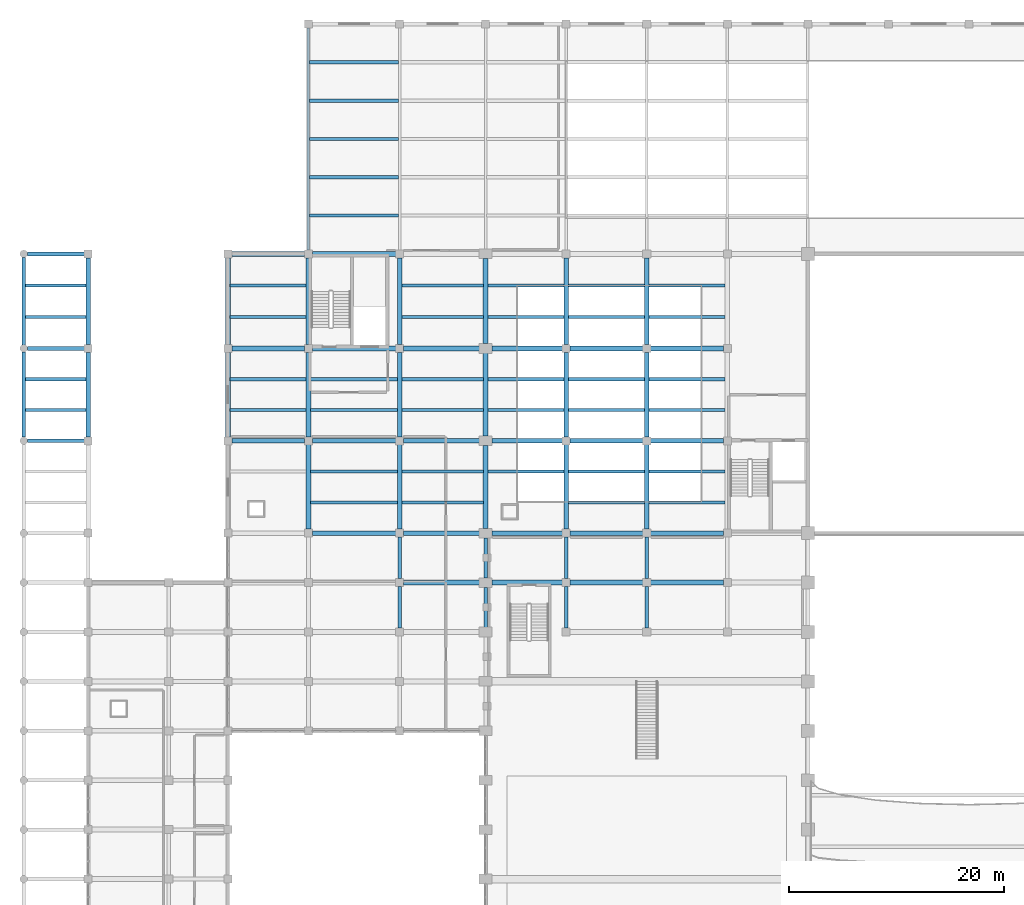
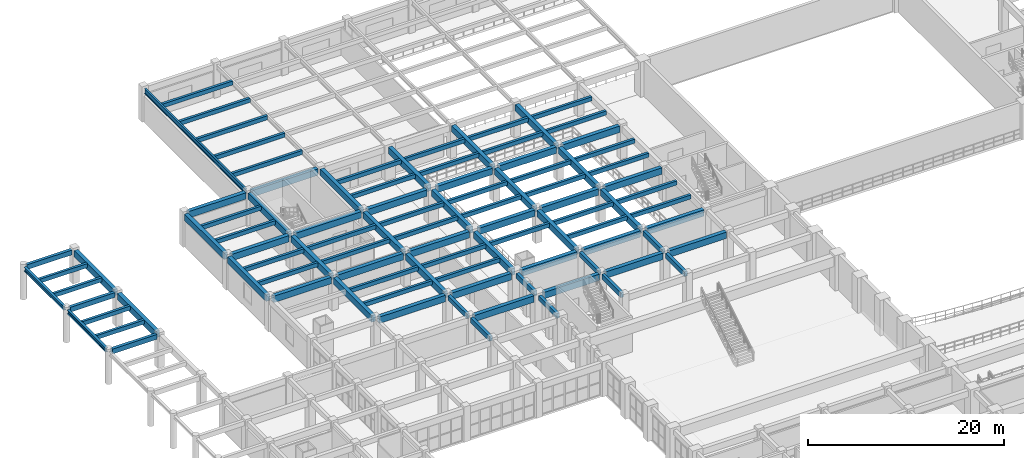
# One storey, part 47 of 116: 96 beams.
"""IFC4 building model written with IfcOpenShell, lengths in metres."""

from ifc_helpers import new_model, si_unit, direction, frame, origin, origin_2d, place, context, subcontext, project, spatial, rectangle, i_section, extrude, material, material_profile, profile_set, type_object, element, save


model = new_model("IFC4")

# Units and contexts
model_context = context("Model", 3, precision=1e-05, world=origin(), true_north=direction((0.0, 1.0)))
body_context = subcontext(model_context, "Body", "Model", "MODEL_VIEW")
ifc_project = project(units=[si_unit("LENGTHUNIT", "METRE"), si_unit("AREAUNIT", "SQUARE_METRE"), si_unit("VOLUMEUNIT", "CUBIC_METRE"), si_unit("PLANEANGLEUNIT", "RADIAN"), si_unit("MASSUNIT", "GRAM", prefix="KILO")], contexts=[model_context])

# Site, building, storey
site_placement = place(None, origin())
site = spatial("IfcSite", under=ifc_project, at=site_placement, CompositionType="ELEMENT")
building_placement = place(site_placement, origin())
building = spatial("IfcBuilding", under=site, at=building_placement, Name="Muzn Square Opera House", CompositionType="ELEMENT")
storey_placement = place(building_placement, frame((0.0, 0.0, 5.39990234375)))
storey = spatial("IfcBuildingStorey", under=building, at=storey_placement, Name="L01", CompositionType="ELEMENT", Elevation=5.39990234375)

# Beams
ifc_material_1 = material(Name="Concrete C40/50", Category="concrete")
ifc_material_profile_1 = material_profile(ifc_material_1, rectangle(XDim=0.300048828125, YDim=0.5, at=origin_2d()), Name="RCJ 300x500", Category="concrete")
ifc_profile_set_1 = profile_set([ifc_material_profile_1], Name="Concrete C40/50")
beam_type_1 = type_object("IfcBeamType", Name="Floor Joist 300x500", PredefinedType="JOIST", material=ifc_profile_set_1)
for number, where, z_axis, x_axis, name in (
    (1, (0.14208984375, 84.066650390625, 3.900146484375), (1.0, 0.0, 0.0), (0.0, 1.0, 0.0), "Floor Joist BM-L01-BM-J500-1_841_58_841-1803"),
    (2, (0.14208984375, 86.933349609375, 3.900146484375), (1.0, 0.0, 0.0), (0.0, 1.0, 0.0), "Floor Joist BM-L01-BM-J500-1_869_58_869-1804"),
    (3, (0.14208984375, 92.7333984375, 3.900146484375), (1.0, 0.0, 0.0), (0.0, 1.0, 0.0), "Floor Joist BM-L01-BM-J500-1_927_58_927-1805"),
    (4, (0.14208984375, 95.666748046875, 3.900146484375), (1.0, 0.0, 0.0), (0.0, 1.0, 0.0), "Floor Joist BM-L01-BM-J500-1_957_58_957-1806"),
):
    element("IfcBeam", number, at=place(storey_placement, frame(where, z_axis=z_axis, x_axis=x_axis)), inside=storey, type_object=beam_type_1, Name=name, PredefinedType="JOIST", context=body_context, shape_type="SweptSolid", body=[
        extrude(rectangle(XDim=0.300048828125, YDim=0.5, at=origin_2d()), origin(), (0.0, 0.0, 1.0), 5.640869140625),
    ])
for number, where, z_axis, x_axis, name in (
    (5, (19.217041015625, 84.066650390625, 3.8701171875), (1.0, 0.0, 0.0), (0.0, 1.0, 0.0), "Floor Joist BM-L01-BM-J500-192_841_263_841-1811"),
    (6, (19.217041015625, 86.933349609375, 3.8701171875), (1.0, 0.0, 0.0), (0.0, 1.0, 0.0), "Floor Joist BM-L01-BM-J500-192_869_263_869-1812"),
    (7, (19.217041015625, 92.7333984375, 3.8701171875), (1.0, 0.0, 0.0), (0.0, 1.0, 0.0), "Floor Joist BM-L01-BM-J500-192_927_263_927-1813"),
    (8, (19.217041015625, 95.666748046875, 3.8701171875), (1.0, 0.0, 0.0), (0.0, 1.0, 0.0), "Floor Joist BM-L01-BM-J500-192_957_263_957-1814"),
):
    element("IfcBeam", number, at=place(storey_placement, frame(where, z_axis=z_axis, x_axis=x_axis)), inside=storey, type_object=beam_type_1, Name=name, PredefinedType="JOIST", context=body_context, shape_type="SweptSolid", body=[
        extrude(rectangle(XDim=0.300048828125, YDim=0.5, at=origin_2d()), origin(), (0.0, 0.0, 1.0), 7.06591796875),
    ])
for number, where, z_axis, x_axis, name in (
    (9, (26.717041015625, 75.466796875, 3.8701171875), (1.0, 0.0, 0.0), (0.0, 1.0, 0.0), "Floor Joist BM-L01-BM-J500-267_755_348_755-1817"),
    (10, (26.717041015625, 78.333251953125, 3.8701171875), (1.0, 0.0, 0.0), (0.0, 1.0, 0.0), "Floor Joist BM-L01-BM-J500-267_783_348_783-1818"),
    (11, (26.717041015625, 84.066650390625, 3.8701171875), (1.0, 0.0, 0.0), (0.0, 1.0, 0.0), "Floor Joist BM-L01-BM-J500-267_841_348_841-1819"),
    (12, (26.717041015625, 86.933349609375, 3.8701171875), (1.0, 0.0, 0.0), (0.0, 1.0, 0.0), "Floor Joist BM-L01-BM-J500-267_869_348_869-1820"),
):
    element("IfcBeam", number, at=place(storey_placement, frame(where, z_axis=z_axis, x_axis=x_axis)), inside=storey, type_object=beam_type_1, Name=name, PredefinedType="JOIST", context=body_context, shape_type="SweptSolid", body=[
        extrude(rectangle(XDim=0.300048828125, YDim=0.5, at=origin_2d()), origin(), (0.0, 0.0, 1.0), 8.06591796875),
    ])
for number, where, z_axis, x_axis, name in (
    (13, (26.60205078125, 102.166748046875, 3.8701171875), (1.0, 0.0, 0.0), (0.0, 1.0, 0.0), "Floor Joist BM-L01-BM-J500-266_1022_349_1022-1821"),
    (14, (26.60205078125, 105.7333984375, 3.8701171875), (1.0, 0.0, 0.0), (0.0, 1.0, 0.0), "Floor Joist BM-L01-BM-J500-266_1057_349_1057-1822"),
    (15, (26.60205078125, 109.300048828125, 3.8701171875), (1.0, 0.0, 0.0), (0.0, 1.0, 0.0), "Floor Joist BM-L01-BM-J500-266_1093_349_1093-1823"),
    (16, (26.60205078125, 112.86669921875, 3.8701171875), (1.0, 0.0, 0.0), (0.0, 1.0, 0.0), "Floor Joist BM-L01-BM-J500-266_1129_349_1129-1824"),
    (17, (26.60205078125, 116.433349609375, 3.8701171875), (1.0, 0.0, 0.0), (0.0, 1.0, 0.0), "Floor Joist BM-L01-BM-J500-266_1164_349_1164-1825"),
):
    element("IfcBeam", number, at=place(storey_placement, frame(where, z_axis=z_axis, x_axis=x_axis)), inside=storey, type_object=beam_type_1, Name=name, PredefinedType="JOIST", context=body_context, shape_type="SweptSolid", body=[
        extrude(rectangle(XDim=0.300048828125, YDim=0.5, at=origin_2d()), origin(), (0.0, 0.0, 1.0), 8.2958984375),
    ])
for number, where, z_axis, x_axis, name in (
    (18, (35.217041015625, 75.466796875, 3.8701171875), (1.0, 0.0, 0.0), (0.0, 1.0, 0.0), "Floor Joist BM-L01-BM-J500-352_755_428_755-1828"),
    (19, (35.217041015625, 78.333251953125, 3.8701171875), (1.0, 0.0, 0.0), (0.0, 1.0, 0.0), "Floor Joist BM-L01-BM-J500-352_783_428_783-1829"),
    (20, (35.217041015625, 84.066650390625, 3.8701171875), (1.0, 0.0, 0.0), (0.0, 1.0, 0.0), "Floor Joist BM-L01-BM-J500-352_841_428_841-1830"),
    (21, (35.217041015625, 86.933349609375, 3.8701171875), (1.0, 0.0, 0.0), (0.0, 1.0, 0.0), "Floor Joist BM-L01-BM-J500-352_869_428_869-1831"),
    (22, (35.217041015625, 92.7333984375, 3.8701171875), (1.0, 0.0, 0.0), (0.0, 1.0, 0.0), "Floor Joist BM-L01-BM-J500-352_927_428_927-1832"),
    (23, (35.217041015625, 95.666748046875, 3.8701171875), (1.0, 0.0, 0.0), (0.0, 1.0, 0.0), "Floor Joist BM-L01-BM-J500-352_957_428_957-1833"),
):
    element("IfcBeam", number, at=place(storey_placement, frame(where, z_axis=z_axis, x_axis=x_axis)), inside=storey, type_object=beam_type_1, Name=name, PredefinedType="JOIST", context=body_context, shape_type="SweptSolid", body=[
        extrude(rectangle(XDim=0.300048828125, YDim=0.5, at=origin_2d()), origin(), (0.0, 0.0, 1.0), 7.56591796875),
    ])
for number, where, z_axis, x_axis, name in (
    (24, (43.217041015625, 78.333251953125, 3.8701171875), (1.0, 0.0, 0.0), (0.0, 1.0, 0.0), "Floor Joist BM-L01-BM-J500-432_783_503_783-1842"),
    (25, (43.217041015625, 84.066650390625, 3.8701171875), (1.0, 0.0, 0.0), (0.0, 1.0, 0.0), "Floor Joist BM-L01-BM-J500-432_841_503_841-1843"),
    (26, (43.217041015625, 86.933349609375, 3.8701171875), (1.0, 0.0, 0.0), (0.0, 1.0, 0.0), "Floor Joist BM-L01-BM-J500-432_869_503_869-1844"),
    (27, (43.217041015625, 92.7333984375, 3.8701171875), (1.0, 0.0, 0.0), (0.0, 1.0, 0.0), "Floor Joist BM-L01-BM-J500-432_927_503_927-1845"),
    (28, (43.217041015625, 95.666748046875, 3.8701171875), (1.0, 0.0, 0.0), (0.0, 1.0, 0.0), "Floor Joist BM-L01-BM-J500-432_957_503_957-1846"),
    (29, (50.717041015625, 75.466796875, 3.8701171875), (1.0, 0.0, 0.0), (0.0, 1.0, 0.0), "Floor Joist BM-L01-BM-J500-507_755_578_755-1852"),
    (30, (50.717041015625, 78.333251953125, 3.8701171875), (1.0, 0.0, 0.0), (0.0, 1.0, 0.0), "Floor Joist BM-L01-BM-J500-507_783_578_783-1853"),
    (31, (50.717041015625, 84.066650390625, 3.8701171875), (1.0, 0.0, 0.0), (0.0, 1.0, 0.0), "Floor Joist BM-L01-BM-J500-507_841_578_841-1854"),
    (32, (50.717041015625, 86.933349609375, 3.8701171875), (1.0, 0.0, 0.0), (0.0, 1.0, 0.0), "Floor Joist BM-L01-BM-J500-507_869_578_869-1855"),
    (33, (50.717041015625, 92.7333984375, 3.8701171875), (1.0, 0.0, 0.0), (0.0, 1.0, 0.0), "Floor Joist BM-L01-BM-J500-507_927_578_927-1856"),
    (34, (50.717041015625, 95.666748046875, 3.8701171875), (1.0, 0.0, 0.0), (0.0, 1.0, 0.0), "Floor Joist BM-L01-BM-J500-507_957_578_957-1857"),
    (35, (58.217041015625, 75.466796875, 3.8701171875), (1.0, 0.0, 0.0), (0.0, 1.0, 0.0), "Floor Joist BM-L01-BM-J500-582_755_653_755-1863"),
    (36, (58.217041015625, 78.333251953125, 3.8701171875), (1.0, 0.0, 0.0), (0.0, 1.0, 0.0), "Floor Joist BM-L01-BM-J500-582_783_653_783-1864"),
    (37, (58.217041015625, 84.066650390625, 3.8701171875), (1.0, 0.0, 0.0), (0.0, 1.0, 0.0), "Floor Joist BM-L01-BM-J500-582_841_653_841-1865"),
    (38, (58.217041015625, 86.933349609375, 3.8701171875), (1.0, 0.0, 0.0), (0.0, 1.0, 0.0), "Floor Joist BM-L01-BM-J500-582_869_653_869-1866"),
    (39, (58.217041015625, 92.7333984375, 3.8701171875), (1.0, 0.0, 0.0), (0.0, 1.0, 0.0), "Floor Joist BM-L01-BM-J500-582_927_653_927-1867"),
    (40, (58.217041015625, 95.666748046875, 3.8701171875), (1.0, 0.0, 0.0), (0.0, 1.0, 0.0), "Floor Joist BM-L01-BM-J500-582_957_653_957-1868"),
):
    element("IfcBeam", number, at=place(storey_placement, frame(where, z_axis=z_axis, x_axis=x_axis)), inside=storey, type_object=beam_type_1, Name=name, PredefinedType="JOIST", context=body_context, shape_type="SweptSolid", body=[
        extrude(rectangle(XDim=0.300048828125, YDim=0.5, at=origin_2d()), origin(), (0.0, 0.0, 1.0), 7.06591796875),
    ])
ifc_material_profile_2 = material_profile(ifc_material_1, rectangle(XDim=0.35009765625, YDim=0.60009765625, at=origin_2d()), Name="RCB 350x600", Category="concrete")
ifc_profile_set_2 = profile_set([ifc_material_profile_2], Name="Concrete C40/50")
beam_type_2 = type_object("IfcBeamType", Name="Primary Girder 350x600", PredefinedType="BEAM", material=ifc_profile_set_2)
for number, where, z_axis, x_axis, name in (
    (41, (0.342041015625, 81.199951171875, 3.85009765625), (1.0, 0.0, 0.0), (0.0, 1.0, 0.0), "Primary Girder BM-L01-BM-PG600-3_812_56_812-1450"),
    (42, (0.342041015625, 89.800048828125, 3.85009765625), (1.0, 0.0, 0.0), (0.0, 1.0, 0.0), "Primary Girder BM-L01-BM-PG600-3_898_56_898-1463"),
    (43, (0.342041015625, 98.60009765625, 3.820068359375), (1.0, 0.0, 0.0), (0.0, 1.0, 0.0), "Primary Girder BM-L01-BM-PG600-3_986_56_986-1479"),
):
    element("IfcBeam", number, at=place(storey_placement, frame(where, z_axis=z_axis, x_axis=x_axis)), inside=storey, type_object=beam_type_2, Name=name, PredefinedType="BEAM", context=body_context, shape_type="SweptSolid", body=[
        extrude(rectangle(XDim=0.35009765625, YDim=0.60009765625, at=origin_2d()), origin(), (0.0, 0.0, 1.0), 5.291015625),
    ])
for number, where, z_axis, x_axis, name in (
    (44, (35.0, 63.76708984375, 3.820068359375), (0.0, 1.0, 0.0), (-1.0, 0.0, 0.0), "Primary Girder BM-L01-BM-PG600-350_638_350_676-1590"),
    (45, (35.0, 68.366943359375, 3.820068359375), (0.0, 1.0, 0.0), (-1.0, 0.0, 0.0), "Primary Girder BM-L01-BM-PG600-350_684_350_722-1591"),
):
    element("IfcBeam", number, at=place(storey_placement, frame(where, z_axis=z_axis, x_axis=x_axis)), inside=storey, type_object=beam_type_2, Name=name, PredefinedType="BEAM", context=body_context, shape_type="SweptSolid", body=[
        extrude(rectangle(XDim=0.35009765625, YDim=0.60009765625, at=origin_2d()), origin(), (0.0, 0.0, 1.0), 3.865966796875),
    ])
for number, where, z_axis, x_axis, name in (
    (46, (43.0, 63.842041015625, 3.820068359375), (0.0, 1.0, 0.0), (-1.0, 0.0, 0.0), "Primary Girder BM-L01-BM-PG600-430_638_430_676-1608"),
    (47, (43.0, 68.44189453125, 3.820068359375), (0.0, 1.0, 0.0), (-1.0, 0.0, 0.0), "Primary Girder BM-L01-BM-PG600-430_684_430_722-1609"),
):
    element("IfcBeam", number, at=place(storey_placement, frame(where, z_axis=z_axis, x_axis=x_axis)), inside=storey, type_object=beam_type_2, Name=name, PredefinedType="BEAM", context=body_context, shape_type="SweptSolid", body=[
        extrude(rectangle(XDim=0.35009765625, YDim=0.60009765625, at=origin_2d()), origin(), (0.0, 0.0, 1.0), 3.716064453125),
    ])
for number, where, z_axis, x_axis, name in (
    (48, (50.5, 63.76708984375, 3.820068359375), (0.0, 1.0, 0.0), (-1.0, 0.0, 0.0), "Primary Girder BM-L01-BM-PG600-505_638_505_676-1620"),
    (49, (50.5, 68.366943359375, 3.820068359375), (0.0, 1.0, 0.0), (-1.0, 0.0, 0.0), "Primary Girder BM-L01-BM-PG600-505_684_505_722-1621"),
    (50, (58.0, 63.76708984375, 3.820068359375), (0.0, 1.0, 0.0), (-1.0, 0.0, 0.0), "Primary Girder BM-L01-BM-PG600-580_638_580_676-1629"),
    (51, (58.0, 68.366943359375, 3.820068359375), (0.0, 1.0, 0.0), (-1.0, 0.0, 0.0), "Primary Girder BM-L01-BM-PG600-580_684_580_722-1630"),
):
    element("IfcBeam", number, at=place(storey_placement, frame(where, z_axis=z_axis, x_axis=x_axis)), inside=storey, type_object=beam_type_2, Name=name, PredefinedType="BEAM", context=body_context, shape_type="SweptSolid", body=[
        extrude(rectangle(XDim=0.35009765625, YDim=0.60009765625, at=origin_2d()), origin(), (0.0, 0.0, 1.0), 3.865966796875),
    ])
ifc_material_profile_3 = material_profile(ifc_material_1, rectangle(XDim=0.449951171875, YDim=0.800048828125, at=origin_2d()), Name="RCB 450x800", Category="concrete")
ifc_profile_set_3 = profile_set([ifc_material_profile_3], Name="Concrete C40/50")
beam_type_3 = type_object("IfcBeamType", Name="Primary Girder 450x800", PredefinedType="BEAM", material=ifc_profile_set_3)
beam_1_placement = place(storey_placement, frame((35.366943359375, 68.0, 3.72021484375), z_axis=(1.0, 0.0, 0.0), x_axis=(0.0, 1.0, 0.0)))
element("IfcBeam", 52, at=beam_1_placement, inside=storey, type_object=beam_type_3, Name="Primary Girder BM-L01-BM-PG800-354_680_424_680-1417", PredefinedType="BEAM", context=body_context, shape_type="SweptSolid", body=[
    extrude(rectangle(XDim=0.449951171875, YDim=0.800048828125, at=origin_2d()), origin(), (0.0, 0.0, 1.0), 7.041015625),
])
beam_2_placement = place(storey_placement, frame((43.592041015625, 68.0, 3.72021484375), z_axis=(1.0, 0.0, 0.0), x_axis=(0.0, 1.0, 0.0)))
element("IfcBeam", 53, at=beam_2_placement, inside=storey, type_object=beam_type_3, Name="Primary Girder BM-L01-BM-PG800-436_680_501_680-1418", PredefinedType="BEAM", context=body_context, shape_type="SweptSolid", body=[
    extrude(rectangle(XDim=0.449951171875, YDim=0.800048828125, at=origin_2d()), origin(), (0.0, 0.0, 1.0), 6.541015625),
])
for number, where, z_axis, x_axis, name in (
    (54, (50.866943359375, 68.0, 3.72021484375), (1.0, 0.0, 0.0), (0.0, 1.0, 0.0), "Primary Girder BM-L01-BM-PG800-509_680_576_680-1419"),
    (55, (58.366943359375, 68.0, 3.72021484375), (1.0, 0.0, 0.0), (0.0, 1.0, 0.0), "Primary Girder BM-L01-BM-PG800-584_680_651_680-1420"),
):
    element("IfcBeam", number, at=place(storey_placement, frame(where, z_axis=z_axis, x_axis=x_axis)), inside=storey, type_object=beam_type_3, Name=name, PredefinedType="BEAM", context=body_context, shape_type="SweptSolid", body=[
        extrude(rectangle(XDim=0.449951171875, YDim=0.800048828125, at=origin_2d()), origin(), (0.0, 0.0, 1.0), 6.76611328125),
    ])
beam_3_placement = place(storey_placement, frame((26.866943359375, 72.60009765625, 3.72021484375), z_axis=(1.0, 0.0, 0.0), x_axis=(0.0, 1.0, 0.0)))
element("IfcBeam", 56, at=beam_3_placement, inside=storey, type_object=beam_type_3, Name="Primary Girder BM-L01-BM-PG800-269_726_346_726-1434", PredefinedType="BEAM", context=body_context, shape_type="SweptSolid", body=[
    extrude(rectangle(XDim=0.449951171875, YDim=0.800048828125, at=origin_2d()), origin(), (0.0, 0.0, 1.0), 7.76611328125),
])
beam_4_placement = place(storey_placement, frame((35.366943359375, 72.60009765625, 3.72021484375), z_axis=(1.0, 0.0, 0.0), x_axis=(0.0, 1.0, 0.0)))
element("IfcBeam", 57, at=beam_4_placement, inside=storey, type_object=beam_type_3, Name="Primary Girder BM-L01-BM-PG800-354_726_424_726-1435", PredefinedType="BEAM", context=body_context, shape_type="SweptSolid", body=[
    extrude(rectangle(XDim=0.449951171875, YDim=0.800048828125, at=origin_2d()), origin(), (0.0, 0.0, 1.0), 7.041015625),
])
beam_5_placement = place(storey_placement, frame((43.592041015625, 72.60009765625, 3.72021484375), z_axis=(1.0, 0.0, 0.0), x_axis=(0.0, 1.0, 0.0)))
element("IfcBeam", 58, at=beam_5_placement, inside=storey, type_object=beam_type_3, Name="Primary Girder BM-L01-BM-PG800-436_726_501_726-1436", PredefinedType="BEAM", context=body_context, shape_type="SweptSolid", body=[
    extrude(rectangle(XDim=0.449951171875, YDim=0.800048828125, at=origin_2d()), origin(), (0.0, 0.0, 1.0), 6.541015625),
])
for number, where, z_axis, x_axis, name in (
    (59, (50.866943359375, 72.60009765625, 3.72021484375), (1.0, 0.0, 0.0), (0.0, 1.0, 0.0), "Primary Girder BM-L01-BM-PG800-509_726_576_726-1437"),
    (60, (58.366943359375, 72.60009765625, 3.72021484375), (1.0, 0.0, 0.0), (0.0, 1.0, 0.0), "Primary Girder BM-L01-BM-PG800-584_726_651_726-1438"),
    (61, (19.366943359375, 81.199951171875, 3.72021484375), (1.0, 0.0, 0.0), (0.0, 1.0, 0.0), "Primary Girder BM-L01-BM-PG800-194_812_261_812-1451"),
):
    element("IfcBeam", number, at=place(storey_placement, frame(where, z_axis=z_axis, x_axis=x_axis)), inside=storey, type_object=beam_type_3, Name=name, PredefinedType="BEAM", context=body_context, shape_type="SweptSolid", body=[
        extrude(rectangle(XDim=0.449951171875, YDim=0.800048828125, at=origin_2d()), origin(), (0.0, 0.0, 1.0), 6.76611328125),
    ])
beam_6_placement = place(storey_placement, frame((26.866943359375, 81.199951171875, 3.72021484375), z_axis=(1.0, 0.0, 0.0), x_axis=(0.0, 1.0, 0.0)))
element("IfcBeam", 62, at=beam_6_placement, inside=storey, type_object=beam_type_3, Name="Primary Girder BM-L01-BM-PG800-269_812_346_812-1452", PredefinedType="BEAM", context=body_context, shape_type="SweptSolid", body=[
    extrude(rectangle(XDim=0.449951171875, YDim=0.800048828125, at=origin_2d()), origin(), (0.0, 0.0, 1.0), 7.76611328125),
])
beam_7_placement = place(storey_placement, frame((35.366943359375, 81.199951171875, 3.72021484375), z_axis=(1.0, 0.0, 0.0), x_axis=(0.0, 1.0, 0.0)))
element("IfcBeam", 63, at=beam_7_placement, inside=storey, type_object=beam_type_3, Name="Primary Girder BM-L01-BM-PG800-354_812_424_812-1453", PredefinedType="BEAM", context=body_context, shape_type="SweptSolid", body=[
    extrude(rectangle(XDim=0.449951171875, YDim=0.800048828125, at=origin_2d()), origin(), (0.0, 0.0, 1.0), 7.041015625),
])
beam_8_placement = place(storey_placement, frame((43.592041015625, 81.199951171875, 3.72021484375), z_axis=(1.0, 0.0, 0.0), x_axis=(0.0, 1.0, 0.0)))
element("IfcBeam", 64, at=beam_8_placement, inside=storey, type_object=beam_type_3, Name="Primary Girder BM-L01-BM-PG800-436_812_501_812-1454", PredefinedType="BEAM", context=body_context, shape_type="SweptSolid", body=[
    extrude(rectangle(XDim=0.449951171875, YDim=0.800048828125, at=origin_2d()), origin(), (0.0, 0.0, 1.0), 6.541015625),
])
for number, where, z_axis, x_axis, name in (
    (65, (50.866943359375, 81.199951171875, 3.72021484375), (1.0, 0.0, 0.0), (0.0, 1.0, 0.0), "Primary Girder BM-L01-BM-PG800-509_812_576_812-1455"),
    (66, (58.366943359375, 81.199951171875, 3.72021484375), (1.0, 0.0, 0.0), (0.0, 1.0, 0.0), "Primary Girder BM-L01-BM-PG800-584_812_651_812-1456"),
    (67, (19.366943359375, 89.800048828125, 3.72021484375), (1.0, 0.0, 0.0), (0.0, 1.0, 0.0), "Primary Girder BM-L01-BM-PG800-194_898_261_898-1464"),
):
    element("IfcBeam", number, at=place(storey_placement, frame(where, z_axis=z_axis, x_axis=x_axis)), inside=storey, type_object=beam_type_3, Name=name, PredefinedType="BEAM", context=body_context, shape_type="SweptSolid", body=[
        extrude(rectangle(XDim=0.449951171875, YDim=0.800048828125, at=origin_2d()), origin(), (0.0, 0.0, 1.0), 6.76611328125),
    ])
beam_9_placement = place(storey_placement, frame((26.866943359375, 89.800048828125, 3.72021484375), z_axis=(1.0, 0.0, 0.0), x_axis=(0.0, 1.0, 0.0)))
element("IfcBeam", 68, at=beam_9_placement, inside=storey, type_object=beam_type_3, Name="Primary Girder BM-L01-BM-PG800-269_898_346_898-1465", PredefinedType="BEAM", context=body_context, shape_type="SweptSolid", body=[
    extrude(rectangle(XDim=0.449951171875, YDim=0.800048828125, at=origin_2d()), origin(), (0.0, 0.0, 1.0), 7.76611328125),
])
beam_10_placement = place(storey_placement, frame((35.366943359375, 89.800048828125, 3.72021484375), z_axis=(1.0, 0.0, 0.0), x_axis=(0.0, 1.0, 0.0)))
element("IfcBeam", 69, at=beam_10_placement, inside=storey, type_object=beam_type_3, Name="Primary Girder BM-L01-BM-PG800-354_898_424_898-1466", PredefinedType="BEAM", context=body_context, shape_type="SweptSolid", body=[
    extrude(rectangle(XDim=0.449951171875, YDim=0.800048828125, at=origin_2d()), origin(), (0.0, 0.0, 1.0), 7.041015625),
])
beam_11_placement = place(storey_placement, frame((43.592041015625, 89.800048828125, 3.72021484375), z_axis=(1.0, 0.0, 0.0), x_axis=(0.0, 1.0, 0.0)))
element("IfcBeam", 70, at=beam_11_placement, inside=storey, type_object=beam_type_3, Name="Primary Girder BM-L01-BM-PG800-436_898_501_898-1467", PredefinedType="BEAM", context=body_context, shape_type="SweptSolid", body=[
    extrude(rectangle(XDim=0.449951171875, YDim=0.800048828125, at=origin_2d()), origin(), (0.0, 0.0, 1.0), 6.541015625),
])
for number, where, z_axis, x_axis, name in (
    (71, (50.866943359375, 89.800048828125, 3.72021484375), (1.0, 0.0, 0.0), (0.0, 1.0, 0.0), "Primary Girder BM-L01-BM-PG800-509_898_576_898-1468"),
    (72, (58.366943359375, 89.800048828125, 3.72021484375), (1.0, 0.0, 0.0), (0.0, 1.0, 0.0), "Primary Girder BM-L01-BM-PG800-584_898_651_898-1469"),
    (73, (19.366943359375, 98.60009765625, 3.72021484375), (1.0, 0.0, 0.0), (0.0, 1.0, 0.0), "Primary Girder BM-L01-BM-PG800-194_986_261_986-1480"),
):
    element("IfcBeam", number, at=place(storey_placement, frame(where, z_axis=z_axis, x_axis=x_axis)), inside=storey, type_object=beam_type_3, Name=name, PredefinedType="BEAM", context=body_context, shape_type="SweptSolid", body=[
        extrude(rectangle(XDim=0.449951171875, YDim=0.800048828125, at=origin_2d()), origin(), (0.0, 0.0, 1.0), 6.76611328125),
    ])
beam_12_placement = place(storey_placement, frame((26.866943359375, 98.60009765625, 3.72021484375), z_axis=(1.0, 0.0, 0.0), x_axis=(0.0, 1.0, 0.0)))
element("IfcBeam", 74, at=beam_12_placement, inside=storey, type_object=beam_type_3, Name="Primary Girder BM-L01-BM-PG800-269_986_346_986-1481", PredefinedType="BEAM", context=body_context, shape_type="SweptSolid", body=[
    extrude(rectangle(XDim=0.449951171875, YDim=0.800048828125, at=origin_2d()), origin(), (0.0, 0.0, 1.0), 7.76611328125),
])
beam_13_placement = place(storey_placement, frame((6.0, 81.56689453125, 3.72021484375), z_axis=(0.0, 1.0, 0.0), x_axis=(-1.0, 0.0, 0.0)))
element("IfcBeam", 75, at=beam_13_placement, inside=storey, type_object=beam_type_3, Name="Primary Girder BM-L01-BM-PG800-60_816_60_894-1540", PredefinedType="BEAM", context=body_context, shape_type="SweptSolid", body=[
    extrude(rectangle(XDim=0.449951171875, YDim=0.800048828125, at=origin_2d()), origin(), (0.0, 0.0, 1.0), 7.8662109375),
])
beam_14_placement = place(storey_placement, frame((6.0, 90.1669921875, 3.72021484375), z_axis=(0.0, 1.0, 0.0), x_axis=(-1.0, 0.0, 0.0)))
element("IfcBeam", 76, at=beam_14_placement, inside=storey, type_object=beam_type_3, Name="Primary Girder BM-L01-BM-PG800-60_902_60_982-1541", PredefinedType="BEAM", context=body_context, shape_type="SweptSolid", body=[
    extrude(rectangle(XDim=0.449951171875, YDim=0.800048828125, at=origin_2d()), origin(), (0.0, 0.0, 1.0), 8.06591796875),
])
beam_15_placement = place(storey_placement, frame((19.0, 81.56689453125, 3.72021484375), z_axis=(0.0, 1.0, 0.0), x_axis=(-1.0, 0.0, 0.0)))
element("IfcBeam", 77, at=beam_15_placement, inside=storey, type_object=beam_type_3, Name="Primary Girder BM-L01-BM-PG800-190_816_190_894-1568", PredefinedType="BEAM", context=body_context, shape_type="SweptSolid", body=[
    extrude(rectangle(XDim=0.449951171875, YDim=0.800048828125, at=origin_2d()), origin(), (0.0, 0.0, 1.0), 7.8662109375),
])
beam_16_placement = place(storey_placement, frame((19.0, 90.1669921875, 3.72021484375), z_axis=(0.0, 1.0, 0.0), x_axis=(-1.0, 0.0, 0.0)))
element("IfcBeam", 78, at=beam_16_placement, inside=storey, type_object=beam_type_3, Name="Primary Girder BM-L01-BM-PG800-190_902_190_982-1569", PredefinedType="BEAM", context=body_context, shape_type="SweptSolid", body=[
    extrude(rectangle(XDim=0.449951171875, YDim=0.800048828125, at=origin_2d()), origin(), (0.0, 0.0, 1.0), 8.06591796875),
])
beam_17_placement = place(storey_placement, frame((26.5, 72.967041015625, 3.72021484375), z_axis=(0.0, 1.0, 0.0), x_axis=(-1.0, 0.0, 0.0)))
element("IfcBeam", 79, at=beam_17_placement, inside=storey, type_object=beam_type_3, Name="Primary Girder BM-L01-BM-PG800-265_730_265_808-1579", PredefinedType="BEAM", context=body_context, shape_type="SweptSolid", body=[
    extrude(rectangle(XDim=0.449951171875, YDim=0.800048828125, at=origin_2d()), origin(), (0.0, 0.0, 1.0), 7.865966796875),
])
beam_18_placement = place(storey_placement, frame((26.5, 81.56689453125, 3.72021484375), z_axis=(0.0, 1.0, 0.0), x_axis=(-1.0, 0.0, 0.0)))
element("IfcBeam", 80, at=beam_18_placement, inside=storey, type_object=beam_type_3, Name="Primary Girder BM-L01-BM-PG800-265_816_265_894-1580", PredefinedType="BEAM", context=body_context, shape_type="SweptSolid", body=[
    extrude(rectangle(XDim=0.449951171875, YDim=0.800048828125, at=origin_2d()), origin(), (0.0, 0.0, 1.0), 7.8662109375),
])
beam_19_placement = place(storey_placement, frame((26.5, 90.1669921875, 3.72021484375), z_axis=(0.0, 1.0, 0.0), x_axis=(-1.0, 0.0, 0.0)))
element("IfcBeam", 81, at=beam_19_placement, inside=storey, type_object=beam_type_3, Name="Primary Girder BM-L01-BM-PG800-265_902_265_982-1581", PredefinedType="BEAM", context=body_context, shape_type="SweptSolid", body=[
    extrude(rectangle(XDim=0.449951171875, YDim=0.800048828125, at=origin_2d()), origin(), (0.0, 0.0, 1.0), 8.06591796875),
])
beam_20_placement = place(storey_placement, frame((35.0, 72.967041015625, 3.72021484375), z_axis=(0.0, 1.0, 0.0), x_axis=(-1.0, 0.0, 0.0)))
element("IfcBeam", 82, at=beam_20_placement, inside=storey, type_object=beam_type_3, Name="Primary Girder BM-L01-BM-PG800-350_730_350_808-1592", PredefinedType="BEAM", context=body_context, shape_type="SweptSolid", body=[
    extrude(rectangle(XDim=0.449951171875, YDim=0.800048828125, at=origin_2d()), origin(), (0.0, 0.0, 1.0), 7.865966796875),
])
beam_21_placement = place(storey_placement, frame((35.0, 81.56689453125, 3.72021484375), z_axis=(0.0, 1.0, 0.0), x_axis=(-1.0, 0.0, 0.0)))
element("IfcBeam", 83, at=beam_21_placement, inside=storey, type_object=beam_type_3, Name="Primary Girder BM-L01-BM-PG800-350_816_350_894-1593", PredefinedType="BEAM", context=body_context, shape_type="SweptSolid", body=[
    extrude(rectangle(XDim=0.449951171875, YDim=0.800048828125, at=origin_2d()), origin(), (0.0, 0.0, 1.0), 7.8662109375),
])
beam_22_placement = place(storey_placement, frame((35.0, 90.1669921875, 3.72021484375), z_axis=(0.0, 1.0, 0.0), x_axis=(-1.0, 0.0, 0.0)))
element("IfcBeam", 84, at=beam_22_placement, inside=storey, type_object=beam_type_3, Name="Primary Girder BM-L01-BM-PG800-350_902_350_982-1594", PredefinedType="BEAM", context=body_context, shape_type="SweptSolid", body=[
    extrude(rectangle(XDim=0.449951171875, YDim=0.800048828125, at=origin_2d()), origin(), (0.0, 0.0, 1.0), 8.06591796875),
])
beam_23_placement = place(storey_placement, frame((43.0, 73.0419921875, 3.72021484375), z_axis=(0.0, 1.0, 0.0), x_axis=(-1.0, 0.0, 0.0)))
element("IfcBeam", 85, at=beam_23_placement, inside=storey, type_object=beam_type_3, Name="Primary Girder BM-L01-BM-PG800-430_730_430_808-1610", PredefinedType="BEAM", context=body_context, shape_type="SweptSolid", body=[
    extrude(rectangle(XDim=0.449951171875, YDim=0.800048828125, at=origin_2d()), origin(), (0.0, 0.0, 1.0), 7.716064453125),
])
beam_24_placement = place(storey_placement, frame((43.0, 81.64208984375, 3.72021484375), z_axis=(0.0, 1.0, 0.0), x_axis=(-1.0, 0.0, 0.0)))
element("IfcBeam", 86, at=beam_24_placement, inside=storey, type_object=beam_type_3, Name="Primary Girder BM-L01-BM-PG800-430_816_430_894-1611", PredefinedType="BEAM", context=body_context, shape_type="SweptSolid", body=[
    extrude(rectangle(XDim=0.449951171875, YDim=0.800048828125, at=origin_2d()), origin(), (0.0, 0.0, 1.0), 7.7158203125),
])
beam_25_placement = place(storey_placement, frame((43.0, 90.241943359375, 3.72021484375), z_axis=(0.0, 1.0, 0.0), x_axis=(-1.0, 0.0, 0.0)))
element("IfcBeam", 87, at=beam_25_placement, inside=storey, type_object=beam_type_3, Name="Primary Girder BM-L01-BM-PG800-430_902_430_982-1612", PredefinedType="BEAM", context=body_context, shape_type="SweptSolid", body=[
    extrude(rectangle(XDim=0.449951171875, YDim=0.800048828125, at=origin_2d()), origin(), (0.0, 0.0, 1.0), 7.916015625),
])
beam_26_placement = place(storey_placement, frame((50.5, 72.967041015625, 3.72021484375), z_axis=(0.0, 1.0, 0.0), x_axis=(-1.0, 0.0, 0.0)))
element("IfcBeam", 88, at=beam_26_placement, inside=storey, type_object=beam_type_3, Name="Primary Girder BM-L01-BM-PG800-505_730_505_808-1622", PredefinedType="BEAM", context=body_context, shape_type="SweptSolid", body=[
    extrude(rectangle(XDim=0.449951171875, YDim=0.800048828125, at=origin_2d()), origin(), (0.0, 0.0, 1.0), 7.865966796875),
])
beam_27_placement = place(storey_placement, frame((50.5, 81.56689453125, 3.72021484375), z_axis=(0.0, 1.0, 0.0), x_axis=(-1.0, 0.0, 0.0)))
element("IfcBeam", 89, at=beam_27_placement, inside=storey, type_object=beam_type_3, Name="Primary Girder BM-L01-BM-PG800-505_816_505_894-1623", PredefinedType="BEAM", context=body_context, shape_type="SweptSolid", body=[
    extrude(rectangle(XDim=0.449951171875, YDim=0.800048828125, at=origin_2d()), origin(), (0.0, 0.0, 1.0), 7.8662109375),
])
beam_28_placement = place(storey_placement, frame((50.5, 90.1669921875, 3.72021484375), z_axis=(0.0, 1.0, 0.0), x_axis=(-1.0, 0.0, 0.0)))
element("IfcBeam", 90, at=beam_28_placement, inside=storey, type_object=beam_type_3, Name="Primary Girder BM-L01-BM-PG800-505_902_505_982-1624", PredefinedType="BEAM", context=body_context, shape_type="SweptSolid", body=[
    extrude(rectangle(XDim=0.449951171875, YDim=0.800048828125, at=origin_2d()), origin(), (0.0, 0.0, 1.0), 8.06591796875),
])
beam_29_placement = place(storey_placement, frame((58.0, 72.967041015625, 3.72021484375), z_axis=(0.0, 1.0, 0.0), x_axis=(-1.0, 0.0, 0.0)))
element("IfcBeam", 91, at=beam_29_placement, inside=storey, type_object=beam_type_3, Name="Primary Girder BM-L01-BM-PG800-580_730_580_808-1631", PredefinedType="BEAM", context=body_context, shape_type="SweptSolid", body=[
    extrude(rectangle(XDim=0.449951171875, YDim=0.800048828125, at=origin_2d()), origin(), (0.0, 0.0, 1.0), 7.865966796875),
])
beam_30_placement = place(storey_placement, frame((58.0, 81.56689453125, 3.72021484375), z_axis=(0.0, 1.0, 0.0), x_axis=(-1.0, 0.0, 0.0)))
element("IfcBeam", 92, at=beam_30_placement, inside=storey, type_object=beam_type_3, Name="Primary Girder BM-L01-BM-PG800-580_816_580_894-1632", PredefinedType="BEAM", context=body_context, shape_type="SweptSolid", body=[
    extrude(rectangle(XDim=0.449951171875, YDim=0.800048828125, at=origin_2d()), origin(), (0.0, 0.0, 1.0), 7.8662109375),
])
beam_31_placement = place(storey_placement, frame((58.0, 90.1669921875, 3.72021484375), z_axis=(0.0, 1.0, 0.0), x_axis=(-1.0, 0.0, 0.0)))
element("IfcBeam", 93, at=beam_31_placement, inside=storey, type_object=beam_type_3, Name="Primary Girder BM-L01-BM-PG800-580_902_580_982-1633", PredefinedType="BEAM", context=body_context, shape_type="SweptSolid", body=[
    extrude(rectangle(XDim=0.449951171875, YDim=0.800048828125, at=origin_2d()), origin(), (0.0, 0.0, 1.0), 8.06591796875),
])
ifc_material_2 = material(Name="Steel S355", Category="steel")
ifc_material_profile_4 = material_profile(ifc_material_2, i_section(OverallWidth=0.219970703125, OverallDepth=0.60009765625, WebThickness=0.011962890625, FlangeThickness=0.01904296875, FilletRadius=0.02392578125, at=origin_2d()), Name="IPE 600", Category="steel")
ifc_profile_set_4 = profile_set([ifc_material_profile_4], Name="Steel S355")
beam_type_4 = type_object("IfcBeamType", Name="Stage Gallery Beam IPE600", PredefinedType="BEAM", material=ifc_profile_set_4)
beam_32_placement = place(storey_placement, frame((26.5, 98.967041015625, 3.820068359375), z_axis=(0.0, 1.0, 0.0), x_axis=(-1.0, 0.0, 0.0)))
element("IfcBeam", 94, at=beam_32_placement, inside=storey, type_object=beam_type_4, Name="Primary Girder BM-L01-BM-SG600-265_990_265_1196-1582", PredefinedType="BEAM", context=body_context, shape_type="SweptSolid", body=[
    extrude(i_section(OverallWidth=0.219970703125, OverallDepth=0.60009765625, WebThickness=0.011962890625, FlangeThickness=0.01904296875, FilletRadius=0.02392578125, at=origin_2d()), origin(), (0.0, 0.0, 1.0), 20.666015625),
])
ifc_material_profile_5 = material_profile(ifc_material_2, i_section(OverallWidth=0.300048828125, OverallDepth=0.489990234375, WebThickness=0.011962890625, FlangeThickness=0.02294921875, FilletRadius=0.027099609375, at=origin_2d()), Name="HEA 500", Category="steel")
ifc_profile_set_5 = profile_set([ifc_material_profile_5], Name="Steel S355")
beam_type_5 = type_object("IfcBeamType", Name="Steel Spandrel Beam HEA500", PredefinedType="SPANDREL", material=ifc_profile_set_5)
beam_33_placement = place(storey_placement, frame((0.0, 81.5419921875, 3.875), z_axis=(0.0, 1.0, 0.0), x_axis=(-1.0, 0.0, 0.0)))
element("IfcBeam", 95, at=beam_33_placement, inside=storey, type_object=beam_type_5, Name="Spandrel Beam BM-L01-BM-SSP500-0_815_0_895-1523", PredefinedType="SPANDREL", context=body_context, shape_type="SweptSolid", body=[
    extrude(i_section(OverallWidth=0.300048828125, OverallDepth=0.489990234375, WebThickness=0.011962890625, FlangeThickness=0.02294921875, FilletRadius=0.027099609375, at=origin_2d()), origin(), (0.0, 0.0, 1.0), 7.916015625),
])
beam_34_placement = place(storey_placement, frame((0.0, 90.14208984375, 3.875), z_axis=(0.0, 1.0, 0.0), x_axis=(-1.0, 0.0, 0.0)))
element("IfcBeam", 96, at=beam_34_placement, inside=storey, type_object=beam_type_5, Name="Spandrel Beam BM-L01-BM-SSP500-0_901_0_983-1524", PredefinedType="SPANDREL", context=body_context, shape_type="SweptSolid", body=[
    extrude(i_section(OverallWidth=0.300048828125, OverallDepth=0.489990234375, WebThickness=0.011962890625, FlangeThickness=0.02294921875, FilletRadius=0.027099609375, at=origin_2d()), origin(), (0.0, 0.0, 1.0), 8.115966796875),
])

save(model, "model.ifc")
